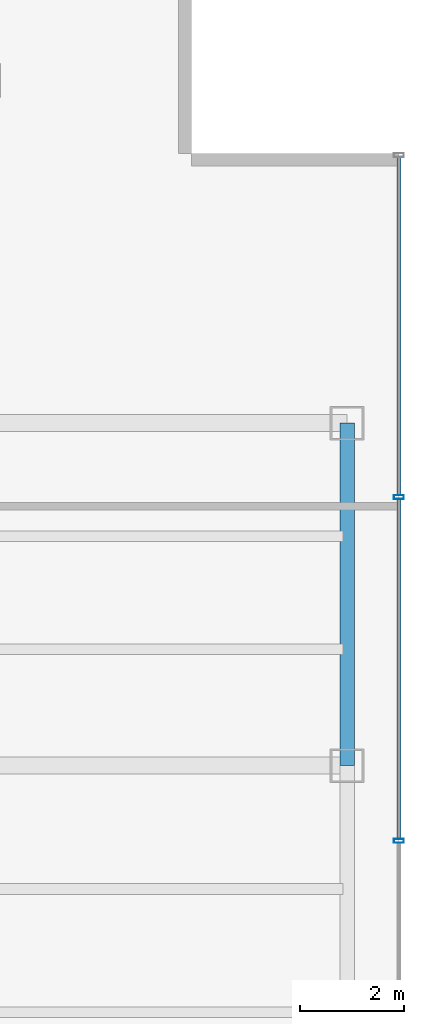
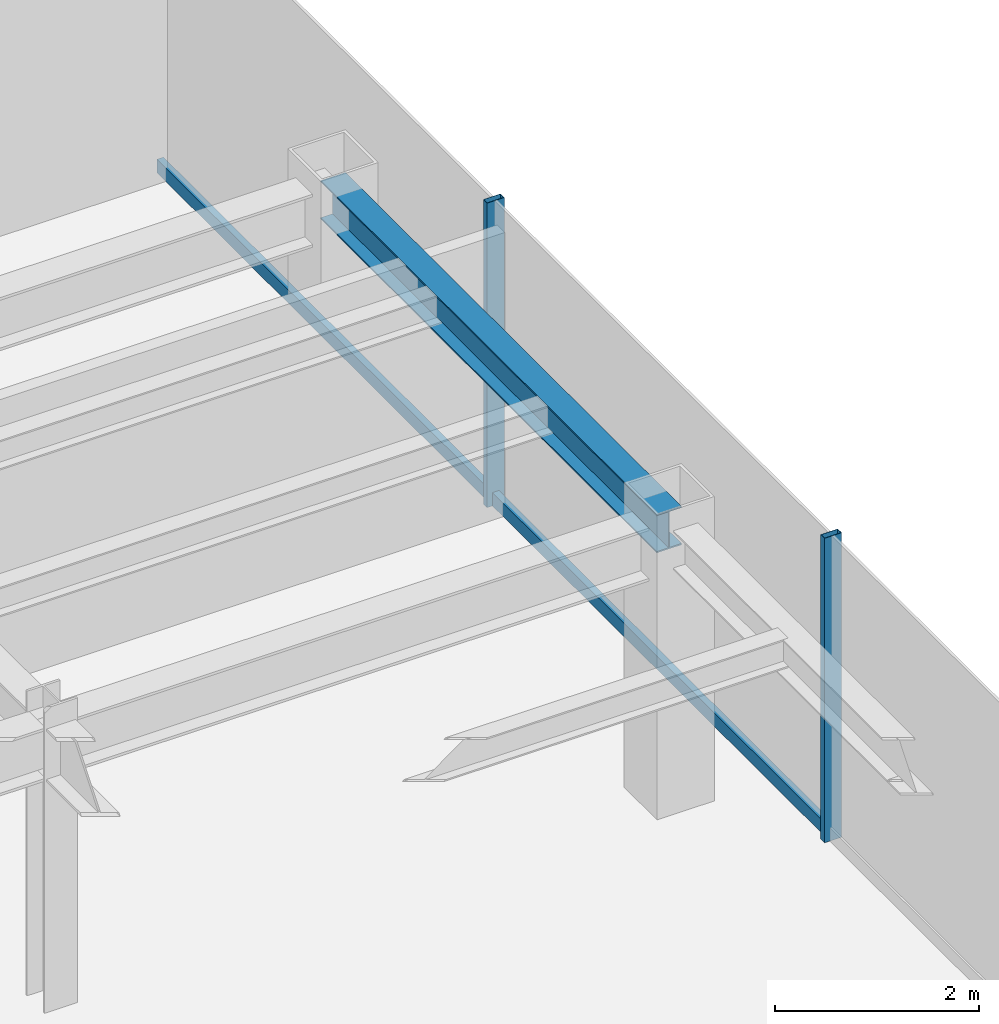
# One storey, part 7 of 19: 4 members, 1 beam, 1 element without a shape of its own.
"""IFC4 building model written with IfcOpenShell, lengths in metres."""

from ifc_helpers import new_model, si_unit, derived_unit, direction, frame, origin, origin_2d, place, context, subcontext, project, spatial, hollow_rectangle, i_section, extrude, source, transform, mapped, material, material_profile, profile_set, type_object, element, aggregate, save


model = new_model("IFC4")

# Units and contexts
model_context = context("Model", 3, precision=1e-05, world=origin(), true_north=direction((0.0, 1.0)))
body_context = subcontext(model_context, "Body", "Model", "MODEL_VIEW")
ifc_project = project(units=[si_unit("LENGTHUNIT", "METRE"), si_unit("AREAUNIT", "SQUARE_METRE"), si_unit("VOLUMEUNIT", "CUBIC_METRE"), si_unit("PLANEANGLEUNIT", "RADIAN"), si_unit("MASSUNIT", "GRAM", prefix="KILO"), derived_unit("THERMALTRANSMITTANCEUNIT", [(si_unit("POWERUNIT", "WATT"), 1), (si_unit("LENGTHUNIT", "METRE"), -2), (si_unit("THERMODYNAMICTEMPERATUREUNIT", "KELVIN"), -1)])], contexts=[model_context])

# Site, building, storey
site_placement = place(None, origin())
site = spatial("IfcSite", under=ifc_project, at=site_placement, CompositionType="ELEMENT")
building_placement = place(site_placement, origin())
building = spatial("IfcBuilding", under=site, at=building_placement, Name="Skarnbrae Concourse Arena and Tower", CompositionType="ELEMENT")
storey_placement = place(building_placement, frame((0.0, 0.0, 180.75)))
storey = spatial("IfcBuildingStorey", under=building, at=storey_placement, Name="L46", CompositionType="ELEMENT", Elevation=180.75)

# Beam
ifc_material_1 = material(Name="Steel CSA G40.21 350W", Category="steel")
ifc_material_profile_1 = material_profile(ifc_material_1, i_section(OverallWidth=0.280029296875, OverallDepth=0.462890625, WebThickness=0.0107421875, FlangeThickness=0.017333984375, at=origin_2d()), Name="W460X113")
ifc_profile_set_1 = profile_set([ifc_material_profile_1], Name="Steel CSA G40.21 350W")
beam_type = type_object("IfcBeamType", Name="BM-SPAN-W460X113", PredefinedType="SPANDREL", material=ifc_profile_set_1)
shared_shape_1 = source(origin(), body_context, "Body", "SweptSolid", [
    extrude(i_section(OverallWidth=0.280029296875, OverallDepth=0.462890625, WebThickness=0.0107421875, FlangeThickness=0.017333984375, at=origin_2d()), origin(), (0.0, 0.0, 1.0), 6.60009765625),
])
beam_placement = place(storey_placement, frame((49.0, 21.199951171875, 3.16845703125), z_axis=(0.0, 1.0, 0.0), x_axis=(-1.0, 0.0, 0.0)))
element("IfcBeam", 1, at=beam_placement, inside=storey, type_object=beam_type, Name="L46 Perimeter spandrel X49.0-3", PredefinedType="SPANDREL", context=body_context, shape_type="MappedRepresentation", body=[
    mapped(shared_shape_1, transform((0.0, 0.0, 0.0))),
])

# Curtain wall, members
ifc_material_2 = material(Name="Bronze anodised aluminium 6063-T6", Category="aluminium")
curtain_wall_type = type_object("IfcCurtainWallType", Name="CW-SYS-04-MIDZONE", PredefinedType="USERDEFINED", material=ifc_material_2)
curtain_wall_placement = place(storey_placement, origin())
curtain_wall = element("IfcCurtainWall", 2, at=curtain_wall_placement, inside=storey, type_object=curtain_wall_type, Name="L46 Unitised curtain wall CW-L46-E04", ObjectType="UNITISED CURTAIN WALL", PredefinedType="USERDEFINED")
ifc_material_profile_2 = material_profile(ifc_material_2, hollow_rectangle(XDim=0.074951171875, YDim=0.195068359375, WallThickness=0.00439453125, at=origin_2d()), Name="ALU-MULL-75X195")
ifc_profile_set_2 = profile_set([ifc_material_profile_2], Name="Bronze anodised aluminium 6063-T6")
member_type_1 = type_object("IfcMemberType", Name="CWM-CW-04", PredefinedType="MULLION", material=ifc_profile_set_2)
shared_shape_2 = source(origin(), body_context, "Body", "SweptSolid", [
    extrude(hollow_rectangle(XDim=0.074951171875, YDim=0.195068359375, WallThickness=0.00439453125, at=origin_2d()), origin(), (0.0, 0.0, 1.0), 3.64990234375),
])
member_1_placement = place(storey_placement, frame((50.0, 19.75, 0.0), z_axis=(0.0, 0.0, 1.0), x_axis=(0.0, 1.0, 0.0)))
member_1 = element("IfcMember", 3, at=member_1_placement, type_object=member_type_1, Name="CW-L46-E04 Mullion 3", PredefinedType="MULLION", context=body_context, shape_type="MappedRepresentation", body=[
    mapped(shared_shape_2, transform((0.0, 0.0, 0.0))),
])
member_2_placement = place(storey_placement, frame((50.0, 26.375, 0.0), z_axis=(0.0, 0.0, 1.0), x_axis=(0.0, 1.0, 0.0)))
member_2 = element("IfcMember", 4, at=member_2_placement, type_object=member_type_1, Name="CW-L46-E04 Mullion 4", PredefinedType="MULLION", context=body_context, shape_type="MappedRepresentation", body=[
    mapped(shared_shape_2, transform((0.0, 0.0, 0.0))),
])
ifc_material_profile_3 = material_profile(ifc_material_2, hollow_rectangle(XDim=0.074951171875, YDim=0.159912109375, WallThickness=0.00439453125, at=origin_2d()), Name="ALU-TRAN-75X160")
ifc_profile_set_3 = profile_set([ifc_material_profile_3], Name="Bronze anodised aluminium 6063-T6")
member_type_2 = type_object("IfcMemberType", Name="CWT-CW-04", PredefinedType="USERDEFINED", material=ifc_profile_set_3)
shared_shape_3 = source(origin(), body_context, "Body", "SweptSolid", [
    extrude(hollow_rectangle(XDim=0.074951171875, YDim=0.159912109375, WallThickness=0.00439453125, at=origin_2d()), origin(), (0.0, 0.0, 1.0), 6.512451171875),
])
member_3_placement = place(storey_placement, frame((50.0, 26.41259765625, 0.080078125), z_axis=(0.0, 1.0, 0.0), x_axis=(-1.0, 0.0, 0.0)))
member_3 = element("IfcMember", 5, at=member_3_placement, type_object=member_type_2, Name="CW-L46-E04 Transom 4", ObjectType="TRANSOM", PredefinedType="USERDEFINED", context=body_context, shape_type="MappedRepresentation", body=[
    mapped(shared_shape_3, transform((0.0, 0.0, 0.0))),
])
shared_shape_4 = source(origin(), body_context, "Body", "SweptSolid", [
    extrude(hollow_rectangle(XDim=0.074951171875, YDim=0.159912109375, WallThickness=0.00439453125, at=origin_2d()), origin(), (0.0, 0.0, 1.0), 6.5498046875),
])
member_4_placement = place(storey_placement, frame((50.0, 19.78759765625, 0.080078125), z_axis=(0.0, 1.0, 0.0), x_axis=(-1.0, 0.0, 0.0)))
member_4 = element("IfcMember", 6, at=member_4_placement, type_object=member_type_2, Name="CW-L46-E04 Transom 3", ObjectType="TRANSOM", PredefinedType="USERDEFINED", context=body_context, shape_type="MappedRepresentation", body=[
    mapped(shared_shape_4, transform((0.0, 0.0, 0.0))),
])
aggregate(curtain_wall, [member_1, member_2, member_4, member_3])

save(model, "model.ifc")
